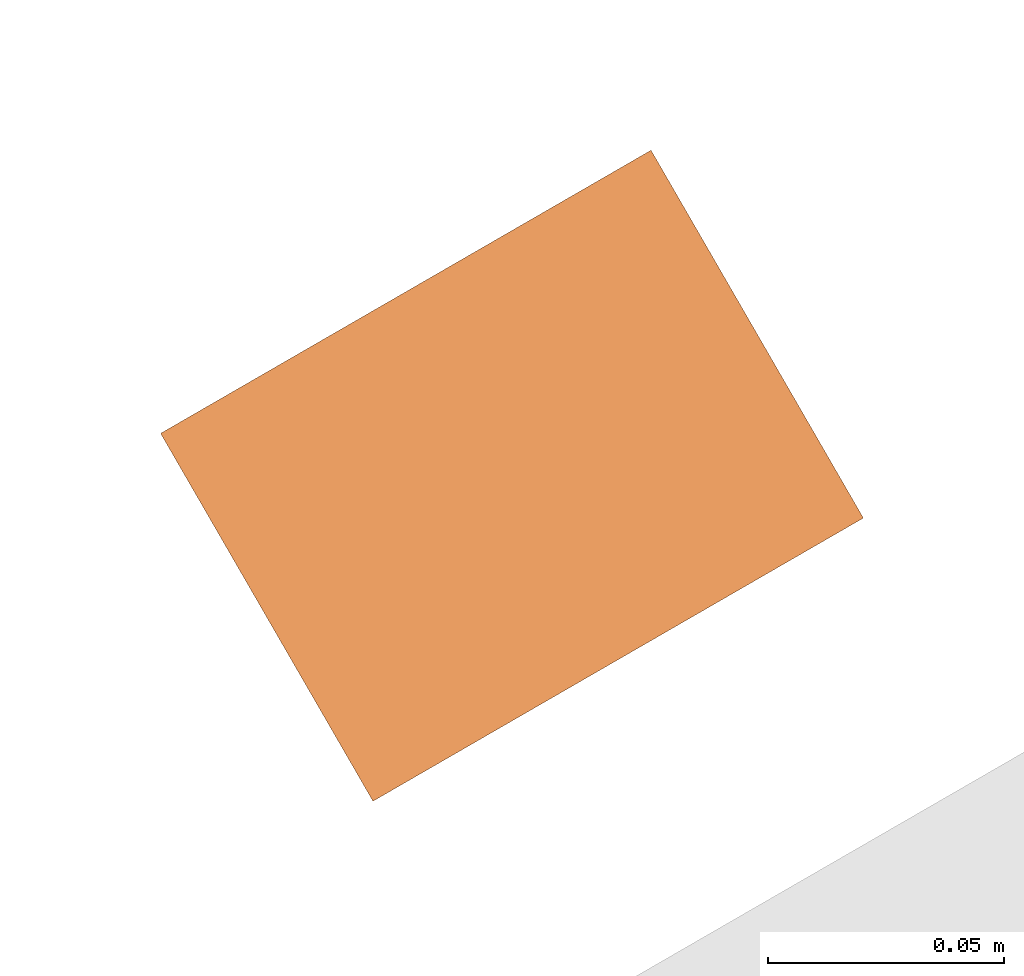
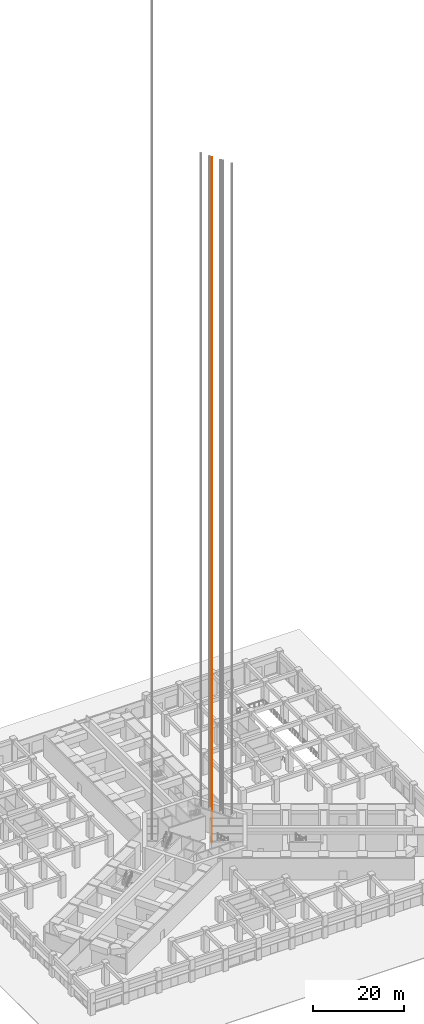
# One storey, part 29 of 33: 1 proxy.
"""IFC4 building model written with IfcOpenShell, lengths in metres."""

from ifc_helpers import new_model, si_unit, direction, frame, origin, origin_2d, place, context, subcontext, project, spatial, rectangle, extrude, material, type_object, element, save


model = new_model("IFC4")

# Units and contexts
model_context = context("Model", 3, precision=1e-05, world=origin(), true_north=direction((0.0, 1.0)))
body_context = subcontext(model_context, "Body", "Model", "MODEL_VIEW")
ifc_project = project(units=[si_unit("LENGTHUNIT", "METRE"), si_unit("AREAUNIT", "SQUARE_METRE"), si_unit("VOLUMEUNIT", "CUBIC_METRE"), si_unit("PLANEANGLEUNIT", "RADIAN"), si_unit("MASSUNIT", "GRAM", prefix="KILO")], contexts=[model_context])

# Site, building, storey
site_placement = place(None, origin())
site = spatial("IfcSite", under=ifc_project, at=site_placement, CompositionType="ELEMENT")
building_placement = place(site_placement, origin())
building = spatial("IfcBuilding", under=site, at=building_placement, Name="Impinga Residences", CompositionType="ELEMENT")
storey_placement = place(building_placement, origin())
storey = spatial("IfcBuildingStorey", under=building, at=storey_placement, Name="L00", CompositionType="ELEMENT", Elevation=0.0)

# Proxy
ifc_material = material(Name="Steel lift guide rail, galvanised", Category="steel")
building_element_proxy_type = type_object("IfcBuildingElementProxyType", Name="LGR lift guide rail", PredefinedType="USERDEFINED", material=ifc_material)
proxy_placement = place(storey_placement, frame((7.572265625, 5.647705078125, -3.5), z_axis=(0.0, 0.0, 1.0), x_axis=(-0.5, 0.866025403784, 0.0)))
element("IfcBuildingElementProxy", 1, at=proxy_placement, inside=storey, type_object=building_element_proxy_type, Name="Guide rail P5 2", ObjectType="Lift guide rail", PredefinedType="USERDEFINED", context=body_context, shape_type="SweptSolid", body=[
    extrude(rectangle(XDim=0.090087890625, YDim=0.1201171875, at=origin_2d()), origin(), (0.0, 0.0, 1.0), 183.14990234375),
])

save(model, "model.ifc")
